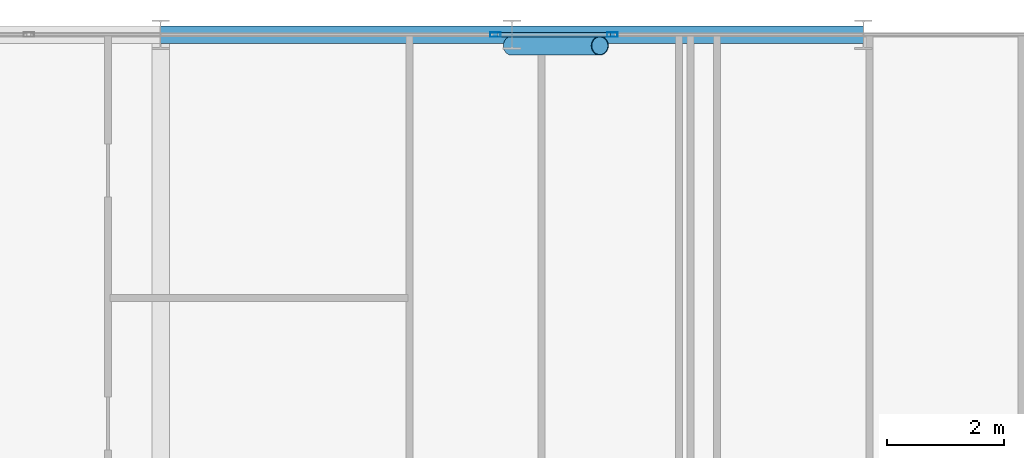
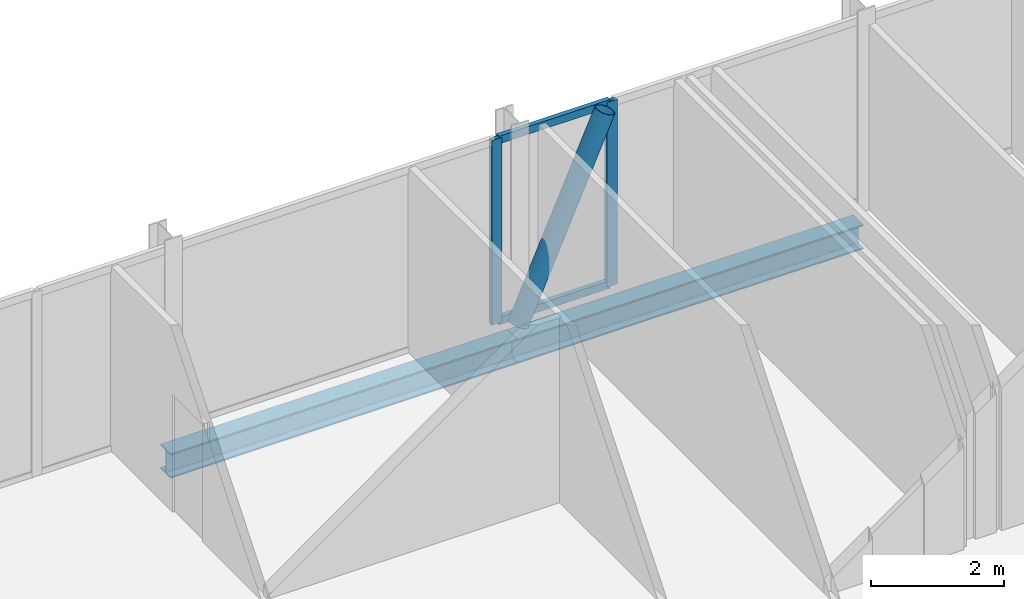
# One storey, part 20 of 32: 5 members, 2 beams, 2 elements without a shape of their own.
"""IFC4 building model written with IfcOpenShell, lengths in metres."""

from ifc_helpers import new_model, si_unit, direction, frame, origin, origin_2d, place, context, subcontext, project, spatial, hollow_rectangle, hollow_circle, i_section, extrude, material, layer, layer_set, material_profile, profile_set, type_object, element, aggregate, save


model = new_model("IFC4")

# Units and contexts
model_context = context("Model", 3, precision=1e-05, world=origin(), true_north=direction((0.0, 1.0)))
body_context = subcontext(model_context, "Body", "Model", "MODEL_VIEW")
ifc_project = project(units=[si_unit("LENGTHUNIT", "METRE"), si_unit("AREAUNIT", "SQUARE_METRE"), si_unit("VOLUMEUNIT", "CUBIC_METRE"), si_unit("PLANEANGLEUNIT", "RADIAN"), si_unit("MASSUNIT", "GRAM", prefix="KILO")], contexts=[model_context])

# Site, building, storey
site_placement = place(None, origin())
site = spatial("IfcSite", under=ifc_project, at=site_placement, CompositionType="ELEMENT")
building_placement = place(site_placement, origin())
building = spatial("IfcBuilding", under=site, at=building_placement, Name="Keshet Zoharim Tower", CompositionType="ELEMENT")
storey_placement = place(building_placement, frame((0.0, 0.0, 152.0)))
storey = spatial("IfcBuildingStorey", under=building, at=storey_placement, Name="L37", CompositionType="ELEMENT", Elevation=152.0)

# Beams
ifc_material_1 = material(Name="Steel S355", Category="steel")
ifc_material_profile_1 = material_profile(ifc_material_1, i_section(OverallWidth=0.300048828125, OverallDepth=0.449951171875, WebThickness=0.013916015625, FlangeThickness=0.02587890625, FilletRadius=0.027099609375, at=origin_2d()), Name="HEB450")
ifc_profile_set_1 = profile_set([ifc_material_profile_1], Name="Steel S355")
beam_type = type_object("IfcBeamType", Name="BM-WEB-HB450", PredefinedType="BEAM", material=ifc_profile_set_1)
for number, where, z_axis, x_axis, name in (
    (1, (33.0, 53.89990234375, -0.5400390625), (1.0, 0.0, 0.0), (0.0, 1.0, 0.0), "L37 Primary Girder X-022"),
    (2, (39.0, 53.89990234375, -0.5400390625), (1.0, 0.0, 0.0), (0.0, 1.0, 0.0), "L37 Primary Girder X-023"),
):
    element("IfcBeam", number, at=place(storey_placement, frame(where, z_axis=z_axis, x_axis=x_axis)), inside=storey, type_object=beam_type, Name=name, PredefinedType="BEAM", context=body_context, shape_type="SweptSolid", body=[
        extrude(i_section(OverallWidth=0.300048828125, OverallDepth=0.449951171875, WebThickness=0.013916015625, FlangeThickness=0.02587890625, FilletRadius=0.027099609375, at=origin_2d()), origin(), (0.0, 0.0, 1.0), 6.0),
    ])

# Curtain wall, member
ifc_material_2 = material(Name="Aluminium 6063-T6", Category="aluminium")
ifc_layer = layer(ifc_material_2, 0.159912109375)
ifc_layer_set = layer_set([ifc_layer], Name="Aluminium 6063-T6")
curtain_wall_type = type_object("IfcCurtainWallType", Name="CW-SYS-03", PredefinedType="NOTDEFINED", material=ifc_layer_set)
curtain_wall_1_placement = place(storey_placement, origin())
curtain_wall_1 = element("IfcCurtainWall", 3, at=curtain_wall_1_placement, inside=storey, type_object=curtain_wall_type, Name="L37 Unitised Curtain Wall 13 Part 3", PredefinedType="NOTDEFINED")
ifc_material_profile_2 = material_profile(ifc_material_2, hollow_rectangle(XDim=0.080078125, YDim=0.179931640625, WallThickness=0.00439453125, at=origin_2d()), Name="MUL-80x180")
ifc_profile_set_2 = profile_set([ifc_material_profile_2], Name="Aluminium 6063-T6")
member_type_1 = type_object("IfcMemberType", Name="CWM-M18", PredefinedType="MULLION", material=ifc_profile_set_2)
member_1_placement = place(storey_placement, frame((38.716796875, 53.89990234375, 0.0), z_axis=(0.0, 0.0, 1.0), x_axis=(0.0, 1.0, 0.0)))
member_1 = element("IfcMember", 4, at=member_1_placement, type_object=member_type_1, Name="CW-03 mullion 3", PredefinedType="MULLION", context=body_context, shape_type="SweptSolid", body=[
    extrude(hollow_rectangle(XDim=0.080078125, YDim=0.179931640625, WallThickness=0.00439453125, at=origin_2d()), origin(), (0.0, 0.0, 1.0), 3.385009765625),
])
aggregate(curtain_wall_1, [member_1])

# Curtain wall, members
curtain_wall_2_placement = place(storey_placement, origin())
curtain_wall_2 = element("IfcCurtainWall", 5, at=curtain_wall_2_placement, inside=storey, type_object=curtain_wall_type, Name="L37 Unitised Curtain Wall 13 Part 4", PredefinedType="NOTDEFINED")
member_2_placement = place(storey_placement, frame((40.713134765625, 53.89990234375, 0.0), z_axis=(0.0, 0.0, 1.0), x_axis=(0.0, 1.0, 0.0)))
member_2 = element("IfcMember", 6, at=member_2_placement, type_object=member_type_1, Name="CW-03 mullion 2", PredefinedType="MULLION", context=body_context, shape_type="SweptSolid", body=[
    extrude(hollow_rectangle(XDim=0.080078125, YDim=0.179931640625, WallThickness=0.00439453125, at=origin_2d()), origin(), (0.0, 0.0, 1.0), 3.385009765625),
])
ifc_material_profile_3 = material_profile(ifc_material_2, hollow_rectangle(XDim=0.080078125, YDim=0.139892578125, WallThickness=0.00390625, at=origin_2d()), Name="TRN-80x140")
ifc_profile_set_3 = profile_set([ifc_material_profile_3], Name="Aluminium 6063-T6")
member_type_2 = type_object("IfcMemberType", Name="CWT-T14", PredefinedType="USERDEFINED", material=ifc_profile_set_3)
member_3_placement = place(storey_placement, frame((38.751953125, 53.89990234375, 0.034912109375), z_axis=(1.0, 0.0, 0.0), x_axis=(0.0, 1.0, 0.0)))
member_3 = element("IfcMember", 7, at=member_3_placement, type_object=member_type_2, Name="CW-03 transom 1.1", ObjectType="TRANSOM", PredefinedType="USERDEFINED", context=body_context, shape_type="SweptSolid", body=[
    extrude(hollow_rectangle(XDim=0.080078125, YDim=0.139892578125, WallThickness=0.00390625, at=origin_2d()), origin(), (0.0, 0.0, 1.0), 1.926025390625),
])
member_4_placement = place(storey_placement, frame((38.751953125, 53.89990234375, 3.35009765625), z_axis=(1.0, 0.0, 0.0), x_axis=(0.0, 1.0, 0.0)))
member_4 = element("IfcMember", 8, at=member_4_placement, type_object=member_type_2, Name="CW-03 transom 1.2", ObjectType="TRANSOM", PredefinedType="USERDEFINED", context=body_context, shape_type="SweptSolid", body=[
    extrude(hollow_rectangle(XDim=0.080078125, YDim=0.139892578125, WallThickness=0.00390625, at=origin_2d()), origin(), (0.0, 0.0, 1.0), 1.926025390625),
])
aggregate(curtain_wall_2, [member_2, member_3, member_4])

# Member
ifc_material_profile_4 = material_profile(ifc_material_1, hollow_circle(Radius=0.161865234375, WallThickness=0.012451171875, at=origin_2d()), Name="CHS323x12.5")
ifc_profile_set_4 = profile_set([ifc_material_profile_4], Name="Steel S355")
member_type_3 = type_object("IfcMemberType", Name="MB-BR-C323", PredefinedType="BRACE", material=ifc_profile_set_4)
member_5_placement = place(storey_placement, frame((39.0, 53.7099609375, 0.0), z_axis=(0.405134846829, 0.0, 0.91425694194), x_axis=(0.0, 1.0, 0.0)))
element("IfcMember", 9, at=member_5_placement, inside=storey, type_object=member_type_3, Name="L37 Perimeter Tube Brace 04", PredefinedType="BRACE", context=body_context, shape_type="SweptSolid", body=[
    extrude(hollow_circle(Radius=0.161865234375, WallThickness=0.012451171875, at=origin_2d()), origin(), (0.0, 0.0, 1.0), 3.702392578125),
])

save(model, "model.ifc")
